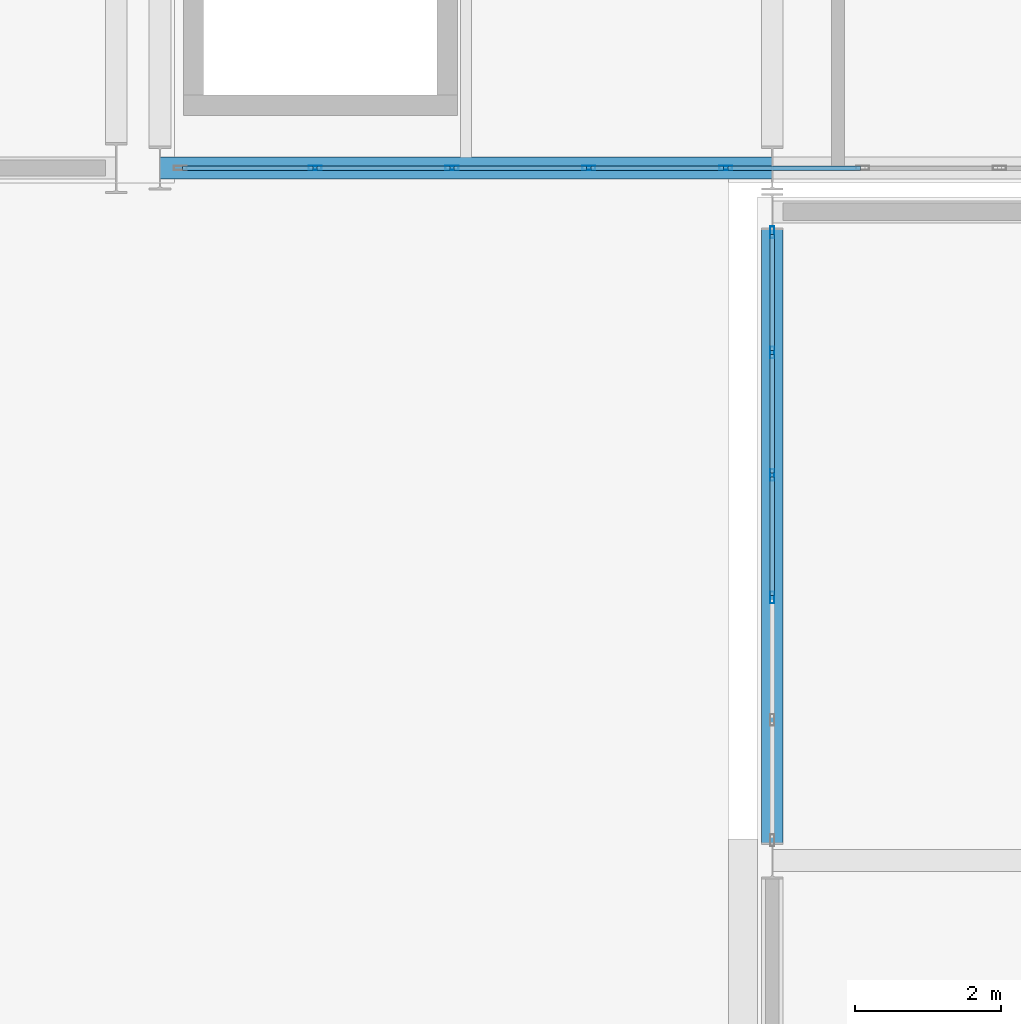
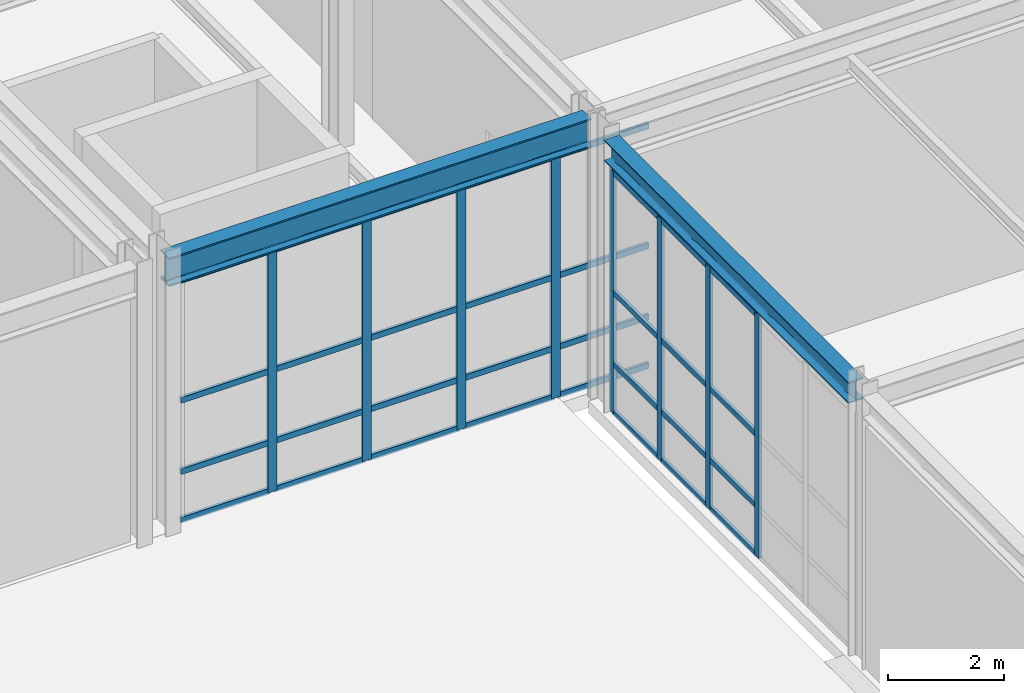
# One storey, part 75 of 146: 40 members, 2 beams, 2 elements without a shape of their own.
"""IFC4 building model written with IfcOpenShell, lengths in metres."""

from ifc_helpers import new_model, si_unit, direction, frame, origin, origin_2d, place, context, subcontext, project, spatial, hollow_rectangle, i_section, extrude, material, material_profile, profile_set, type_object, element, aggregate, save


model = new_model("IFC4")

# Units and contexts
model_context = context("Model", 3, precision=1e-05, world=origin(), true_north=direction((0.0, 1.0)))
body_context = subcontext(model_context, "Body", "Model", "MODEL_VIEW")
ifc_project = project(units=[si_unit("LENGTHUNIT", "METRE"), si_unit("AREAUNIT", "SQUARE_METRE"), si_unit("VOLUMEUNIT", "CUBIC_METRE"), si_unit("PLANEANGLEUNIT", "RADIAN"), si_unit("MASSUNIT", "GRAM", prefix="KILO")], contexts=[model_context])

# Site, building, storey
site_placement = place(None, origin())
site = spatial("IfcSite", under=ifc_project, at=site_placement, CompositionType="ELEMENT")
building_placement = place(site_placement, origin())
building = spatial("IfcBuilding", under=site, at=building_placement, Name="Kaldris Quays Convention Centre", CompositionType="ELEMENT")
storey_placement = place(building_placement, origin())
storey = spatial("IfcBuildingStorey", under=building, at=storey_placement, Name="L00", CompositionType="ELEMENT", Elevation=0.0)

# Curtain wall, members
ifc_material_1 = material(Name="Anodized aluminium AW-6060 and triple glazing", Category="aluminium")
curtain_wall_type_1 = type_object("IfcCurtainWallType", Name="UNITISED CURTAIN WALL CW02", PredefinedType="NOTDEFINED", material=ifc_material_1)
curtain_wall_1_placement = place(storey_placement, origin())
curtain_wall_1 = element("IfcCurtainWall", 1, at=curtain_wall_1_placement, inside=storey, type_object=curtain_wall_type_1, Name="L00 Unitised Curtain Wall CW02 183", PredefinedType="NOTDEFINED")
ifc_material_2 = material(Name="Anodized aluminium AW-6060", Category="aluminium")
ifc_material_profile_1 = material_profile(ifc_material_2, hollow_rectangle(XDim=0.06005859375, YDim=0.159912109375, WallThickness=0.00390625, at=origin_2d()), Name="RHS 160x60x4")
ifc_profile_set_1 = profile_set([ifc_material_profile_1], Name="Anodized aluminium AW-6060")
member_type_1 = type_object("IfcMemberType", Name="CURTAIN MULLION CWM1", PredefinedType="MULLION", material=ifc_profile_set_1)
member_1_placement = place(storey_placement, frame((155.0, 32.110107421875, 0.0), z_axis=(0.0, 0.0, 1.0), x_axis=(-1.0, 0.0, 0.0)))
member_1 = element("IfcMember", 2, at=member_1_placement, type_object=member_type_1, Name="CW02 mullion 3", PredefinedType="MULLION", context=body_context, shape_type="SweptSolid", body=[
    extrude(hollow_rectangle(XDim=0.06005859375, YDim=0.159912109375, WallThickness=0.00390625, at=origin_2d()), origin(), (0.0, 0.0, 1.0), 5.10009765625),
])
member_2_placement = place(storey_placement, frame((155.0, 33.7900390625, 0.0), z_axis=(0.0, 0.0, 1.0), x_axis=(-1.0, 0.0, 0.0)))
member_2 = element("IfcMember", 3, at=member_2_placement, type_object=member_type_1, Name="CW02 mullion 4", PredefinedType="MULLION", context=body_context, shape_type="SweptSolid", body=[
    extrude(hollow_rectangle(XDim=0.06005859375, YDim=0.159912109375, WallThickness=0.00390625, at=origin_2d()), origin(), (0.0, 0.0, 1.0), 5.10009765625),
])
member_3_placement = place(storey_placement, frame((155.0, 35.469970703125, 0.0), z_axis=(0.0, 0.0, 1.0), x_axis=(-1.0, 0.0, 0.0)))
member_3 = element("IfcMember", 4, at=member_3_placement, type_object=member_type_1, Name="CW02 mullion 5", PredefinedType="MULLION", context=body_context, shape_type="SweptSolid", body=[
    extrude(hollow_rectangle(XDim=0.06005859375, YDim=0.159912109375, WallThickness=0.00390625, at=origin_2d()), origin(), (0.0, 0.0, 1.0), 5.10009765625),
])
member_4_placement = place(storey_placement, frame((155.0, 37.1201171875, 0.0), z_axis=(0.0, 0.0, 1.0), x_axis=(-1.0, 0.0, 0.0)))
member_4 = element("IfcMember", 5, at=member_4_placement, type_object=member_type_1, Name="CW02 mullion 6", PredefinedType="MULLION", context=body_context, shape_type="SweptSolid", body=[
    extrude(hollow_rectangle(XDim=0.06005859375, YDim=0.159912109375, WallThickness=0.00390625, at=origin_2d()), origin(), (0.0, 0.0, 1.0), 5.10009765625),
])

curtain_wall_type_2 = type_object("IfcCurtainWallType", Name="UNITISED CURTAIN WALL CW05", PredefinedType="NOTDEFINED", material=ifc_material_1)
curtain_wall_2_placement = place(storey_placement, origin())
curtain_wall_2 = element("IfcCurtainWall", 6, at=curtain_wall_2_placement, inside=storey, type_object=curtain_wall_type_2, Name="L00 Unitised Curtain Wall CW05 137", PredefinedType="NOTDEFINED")
ifc_material_profile_2 = material_profile(ifc_material_2, hollow_rectangle(XDim=0.06005859375, YDim=0.179931640625, WallThickness=0.0048828125, at=origin_2d()), Name="RHS 180x60x5")
ifc_profile_set_2 = profile_set([ifc_material_profile_2], Name="Anodized aluminium AW-6060")
member_type_2 = type_object("IfcMemberType", Name="CURTAIN MULLION CWM2", PredefinedType="MULLION", material=ifc_profile_set_2)
member_5_placement = place(storey_placement, frame((148.727783203125, 38.0, 0.0), z_axis=(0.0, 0.0, 1.0), x_axis=(0.0, 1.0, 0.0)))
member_5 = element("IfcMember", 7, at=member_5_placement, type_object=member_type_2, Name="CW05 mullion 2", PredefinedType="MULLION", context=body_context, shape_type="SweptSolid", body=[
    extrude(hollow_rectangle(XDim=0.06005859375, YDim=0.179931640625, WallThickness=0.0048828125, at=origin_2d()), origin(), (0.0, 0.0, 1.0), 5.097900390625),
])
member_6_placement = place(storey_placement, frame((150.60546875, 38.0, 0.0), z_axis=(0.0, 0.0, 1.0), x_axis=(0.0, 1.0, 0.0)))
member_6 = element("IfcMember", 8, at=member_6_placement, type_object=member_type_2, Name="CW05 mullion 3", PredefinedType="MULLION", context=body_context, shape_type="SweptSolid", body=[
    extrude(hollow_rectangle(XDim=0.06005859375, YDim=0.179931640625, WallThickness=0.0048828125, at=origin_2d()), origin(), (0.0, 0.0, 1.0), 5.097900390625),
])
member_7_placement = place(storey_placement, frame((152.4833984375, 38.0, 0.0), z_axis=(0.0, 0.0, 1.0), x_axis=(0.0, 1.0, 0.0)))
member_7 = element("IfcMember", 9, at=member_7_placement, type_object=member_type_2, Name="CW05 mullion 4", PredefinedType="MULLION", context=body_context, shape_type="SweptSolid", body=[
    extrude(hollow_rectangle(XDim=0.06005859375, YDim=0.179931640625, WallThickness=0.0048828125, at=origin_2d()), origin(), (0.0, 0.0, 1.0), 5.097900390625),
])
member_8_placement = place(storey_placement, frame((154.361083984375, 38.0, 0.0), z_axis=(0.0, 0.0, 1.0), x_axis=(0.0, 1.0, 0.0)))
member_8 = element("IfcMember", 10, at=member_8_placement, type_object=member_type_2, Name="CW05 mullion 5", PredefinedType="MULLION", context=body_context, shape_type="SweptSolid", body=[
    extrude(hollow_rectangle(XDim=0.06005859375, YDim=0.179931640625, WallThickness=0.0048828125, at=origin_2d()), origin(), (0.0, 0.0, 1.0), 5.097900390625),
])
ifc_material_profile_3 = material_profile(ifc_material_2, hollow_rectangle(XDim=0.06005859375, YDim=0.1201171875, WallThickness=0.00390625, at=origin_2d()), Name="RHS 120x60x4")
ifc_profile_set_3 = profile_set([ifc_material_profile_3], Name="Anodized aluminium AW-6060")
member_type_3 = type_object("IfcMemberType", Name="CURTAIN TRANSOM CWT1", PredefinedType="USERDEFINED", material=ifc_profile_set_3)
member_9_placement = place(storey_placement, frame((146.909912109375, 38.0, 0.030029296875), z_axis=(1.0, 0.0, 0.0), x_axis=(0.0, 1.0, 0.0)))
member_9 = element("IfcMember", 11, at=member_9_placement, type_object=member_type_3, Name="CW05 transom 1.1", ObjectType="TRANSOM", PredefinedType="USERDEFINED", context=body_context, shape_type="SweptSolid", body=[
    extrude(hollow_rectangle(XDim=0.06005859375, YDim=0.1201171875, WallThickness=0.00390625, at=origin_2d()), origin(), (0.0, 0.0, 1.0), 1.787841796875),
])
member_10_placement = place(storey_placement, frame((146.909912109375, 38.0, 1.050048828125), z_axis=(1.0, 0.0, 0.0), x_axis=(0.0, 1.0, 0.0)))
member_10 = element("IfcMember", 12, at=member_10_placement, type_object=member_type_3, Name="CW05 transom 1.2", ObjectType="TRANSOM", PredefinedType="USERDEFINED", context=body_context, shape_type="SweptSolid", body=[
    extrude(hollow_rectangle(XDim=0.06005859375, YDim=0.1201171875, WallThickness=0.00390625, at=origin_2d()), origin(), (0.0, 0.0, 1.0), 1.787841796875),
])
member_11_placement = place(storey_placement, frame((146.909912109375, 38.0, 2.549072265625), z_axis=(1.0, 0.0, 0.0), x_axis=(0.0, 1.0, 0.0)))
member_11 = element("IfcMember", 13, at=member_11_placement, type_object=member_type_3, Name="CW05 transom 1.3", ObjectType="TRANSOM", PredefinedType="USERDEFINED", context=body_context, shape_type="SweptSolid", body=[
    extrude(hollow_rectangle(XDim=0.06005859375, YDim=0.1201171875, WallThickness=0.00390625, at=origin_2d()), origin(), (0.0, 0.0, 1.0), 1.787841796875),
])
member_12_placement = place(storey_placement, frame((146.909912109375, 38.0, 5.068115234375), z_axis=(1.0, 0.0, 0.0), x_axis=(0.0, 1.0, 0.0)))
member_12 = element("IfcMember", 14, at=member_12_placement, type_object=member_type_3, Name="CW05 transom 1.4", ObjectType="TRANSOM", PredefinedType="USERDEFINED", context=body_context, shape_type="SweptSolid", body=[
    extrude(hollow_rectangle(XDim=0.06005859375, YDim=0.1201171875, WallThickness=0.00390625, at=origin_2d()), origin(), (0.0, 0.0, 1.0), 1.787841796875),
])
member_13_placement = place(storey_placement, frame((148.7578125, 38.0, 0.030029296875), z_axis=(1.0, 0.0, 0.0), x_axis=(0.0, 1.0, 0.0)))
member_13 = element("IfcMember", 15, at=member_13_placement, type_object=member_type_3, Name="CW05 transom 2.1", ObjectType="TRANSOM", PredefinedType="USERDEFINED", context=body_context, shape_type="SweptSolid", body=[
    extrude(hollow_rectangle(XDim=0.06005859375, YDim=0.1201171875, WallThickness=0.00390625, at=origin_2d()), origin(), (0.0, 0.0, 1.0), 1.817626953125),
])
member_14_placement = place(storey_placement, frame((148.7578125, 38.0, 1.050048828125), z_axis=(1.0, 0.0, 0.0), x_axis=(0.0, 1.0, 0.0)))
member_14 = element("IfcMember", 16, at=member_14_placement, type_object=member_type_3, Name="CW05 transom 2.2", ObjectType="TRANSOM", PredefinedType="USERDEFINED", context=body_context, shape_type="SweptSolid", body=[
    extrude(hollow_rectangle(XDim=0.06005859375, YDim=0.1201171875, WallThickness=0.00390625, at=origin_2d()), origin(), (0.0, 0.0, 1.0), 1.817626953125),
])
member_15_placement = place(storey_placement, frame((148.7578125, 38.0, 2.549072265625), z_axis=(1.0, 0.0, 0.0), x_axis=(0.0, 1.0, 0.0)))
member_15 = element("IfcMember", 17, at=member_15_placement, type_object=member_type_3, Name="CW05 transom 2.3", ObjectType="TRANSOM", PredefinedType="USERDEFINED", context=body_context, shape_type="SweptSolid", body=[
    extrude(hollow_rectangle(XDim=0.06005859375, YDim=0.1201171875, WallThickness=0.00390625, at=origin_2d()), origin(), (0.0, 0.0, 1.0), 1.817626953125),
])
member_16_placement = place(storey_placement, frame((148.7578125, 38.0, 5.068115234375), z_axis=(1.0, 0.0, 0.0), x_axis=(0.0, 1.0, 0.0)))
member_16 = element("IfcMember", 18, at=member_16_placement, type_object=member_type_3, Name="CW05 transom 2.4", ObjectType="TRANSOM", PredefinedType="USERDEFINED", context=body_context, shape_type="SweptSolid", body=[
    extrude(hollow_rectangle(XDim=0.06005859375, YDim=0.1201171875, WallThickness=0.00390625, at=origin_2d()), origin(), (0.0, 0.0, 1.0), 1.817626953125),
])
member_17_placement = place(storey_placement, frame((150.635498046875, 38.0, 0.030029296875), z_axis=(1.0, 0.0, 0.0), x_axis=(0.0, 1.0, 0.0)))
member_17 = element("IfcMember", 19, at=member_17_placement, type_object=member_type_3, Name="CW05 transom 3.1", ObjectType="TRANSOM", PredefinedType="USERDEFINED", context=body_context, shape_type="SweptSolid", body=[
    extrude(hollow_rectangle(XDim=0.06005859375, YDim=0.1201171875, WallThickness=0.00390625, at=origin_2d()), origin(), (0.0, 0.0, 1.0), 1.81787109375),
])
member_18_placement = place(storey_placement, frame((150.635498046875, 38.0, 1.050048828125), z_axis=(1.0, 0.0, 0.0), x_axis=(0.0, 1.0, 0.0)))
member_18 = element("IfcMember", 20, at=member_18_placement, type_object=member_type_3, Name="CW05 transom 3.2", ObjectType="TRANSOM", PredefinedType="USERDEFINED", context=body_context, shape_type="SweptSolid", body=[
    extrude(hollow_rectangle(XDim=0.06005859375, YDim=0.1201171875, WallThickness=0.00390625, at=origin_2d()), origin(), (0.0, 0.0, 1.0), 1.81787109375),
])
member_19_placement = place(storey_placement, frame((150.635498046875, 38.0, 2.549072265625), z_axis=(1.0, 0.0, 0.0), x_axis=(0.0, 1.0, 0.0)))
member_19 = element("IfcMember", 21, at=member_19_placement, type_object=member_type_3, Name="CW05 transom 3.3", ObjectType="TRANSOM", PredefinedType="USERDEFINED", context=body_context, shape_type="SweptSolid", body=[
    extrude(hollow_rectangle(XDim=0.06005859375, YDim=0.1201171875, WallThickness=0.00390625, at=origin_2d()), origin(), (0.0, 0.0, 1.0), 1.81787109375),
])
member_20_placement = place(storey_placement, frame((150.635498046875, 38.0, 5.068115234375), z_axis=(1.0, 0.0, 0.0), x_axis=(0.0, 1.0, 0.0)))
member_20 = element("IfcMember", 22, at=member_20_placement, type_object=member_type_3, Name="CW05 transom 3.4", ObjectType="TRANSOM", PredefinedType="USERDEFINED", context=body_context, shape_type="SweptSolid", body=[
    extrude(hollow_rectangle(XDim=0.06005859375, YDim=0.1201171875, WallThickness=0.00390625, at=origin_2d()), origin(), (0.0, 0.0, 1.0), 1.81787109375),
])
member_21_placement = place(storey_placement, frame((152.513427734375, 38.0, 0.030029296875), z_axis=(1.0, 0.0, 0.0), x_axis=(0.0, 1.0, 0.0)))
member_21 = element("IfcMember", 23, at=member_21_placement, type_object=member_type_3, Name="CW05 transom 4.1", ObjectType="TRANSOM", PredefinedType="USERDEFINED", context=body_context, shape_type="SweptSolid", body=[
    extrude(hollow_rectangle(XDim=0.06005859375, YDim=0.1201171875, WallThickness=0.00390625, at=origin_2d()), origin(), (0.0, 0.0, 1.0), 1.817626953125),
])
member_22_placement = place(storey_placement, frame((152.513427734375, 38.0, 1.050048828125), z_axis=(1.0, 0.0, 0.0), x_axis=(0.0, 1.0, 0.0)))
member_22 = element("IfcMember", 24, at=member_22_placement, type_object=member_type_3, Name="CW05 transom 4.2", ObjectType="TRANSOM", PredefinedType="USERDEFINED", context=body_context, shape_type="SweptSolid", body=[
    extrude(hollow_rectangle(XDim=0.06005859375, YDim=0.1201171875, WallThickness=0.00390625, at=origin_2d()), origin(), (0.0, 0.0, 1.0), 1.817626953125),
])
member_23_placement = place(storey_placement, frame((152.513427734375, 38.0, 2.549072265625), z_axis=(1.0, 0.0, 0.0), x_axis=(0.0, 1.0, 0.0)))
member_23 = element("IfcMember", 25, at=member_23_placement, type_object=member_type_3, Name="CW05 transom 4.3", ObjectType="TRANSOM", PredefinedType="USERDEFINED", context=body_context, shape_type="SweptSolid", body=[
    extrude(hollow_rectangle(XDim=0.06005859375, YDim=0.1201171875, WallThickness=0.00390625, at=origin_2d()), origin(), (0.0, 0.0, 1.0), 1.817626953125),
])
member_24_placement = place(storey_placement, frame((152.513427734375, 38.0, 5.068115234375), z_axis=(1.0, 0.0, 0.0), x_axis=(0.0, 1.0, 0.0)))
member_24 = element("IfcMember", 26, at=member_24_placement, type_object=member_type_3, Name="CW05 transom 4.4", ObjectType="TRANSOM", PredefinedType="USERDEFINED", context=body_context, shape_type="SweptSolid", body=[
    extrude(hollow_rectangle(XDim=0.06005859375, YDim=0.1201171875, WallThickness=0.00390625, at=origin_2d()), origin(), (0.0, 0.0, 1.0), 1.817626953125),
])
member_25_placement = place(storey_placement, frame((154.39111328125, 38.0, 0.030029296875), z_axis=(1.0, 0.0, 0.0), x_axis=(0.0, 1.0, 0.0)))
member_25 = element("IfcMember", 27, at=member_25_placement, type_object=member_type_3, Name="CW05 transom 5.1", ObjectType="TRANSOM", PredefinedType="USERDEFINED", context=body_context, shape_type="SweptSolid", body=[
    extrude(hollow_rectangle(XDim=0.06005859375, YDim=0.1201171875, WallThickness=0.00390625, at=origin_2d()), origin(), (0.0, 0.0, 1.0), 1.81787109375),
])
member_26_placement = place(storey_placement, frame((154.39111328125, 38.0, 1.050048828125), z_axis=(1.0, 0.0, 0.0), x_axis=(0.0, 1.0, 0.0)))
member_26 = element("IfcMember", 28, at=member_26_placement, type_object=member_type_3, Name="CW05 transom 5.2", ObjectType="TRANSOM", PredefinedType="USERDEFINED", context=body_context, shape_type="SweptSolid", body=[
    extrude(hollow_rectangle(XDim=0.06005859375, YDim=0.1201171875, WallThickness=0.00390625, at=origin_2d()), origin(), (0.0, 0.0, 1.0), 1.81787109375),
])
member_27_placement = place(storey_placement, frame((154.39111328125, 38.0, 2.549072265625), z_axis=(1.0, 0.0, 0.0), x_axis=(0.0, 1.0, 0.0)))
member_27 = element("IfcMember", 29, at=member_27_placement, type_object=member_type_3, Name="CW05 transom 5.3", ObjectType="TRANSOM", PredefinedType="USERDEFINED", context=body_context, shape_type="SweptSolid", body=[
    extrude(hollow_rectangle(XDim=0.06005859375, YDim=0.1201171875, WallThickness=0.00390625, at=origin_2d()), origin(), (0.0, 0.0, 1.0), 1.81787109375),
])
member_28_placement = place(storey_placement, frame((154.39111328125, 38.0, 5.068115234375), z_axis=(1.0, 0.0, 0.0), x_axis=(0.0, 1.0, 0.0)))
member_28 = element("IfcMember", 30, at=member_28_placement, type_object=member_type_3, Name="CW05 transom 5.4", ObjectType="TRANSOM", PredefinedType="USERDEFINED", context=body_context, shape_type="SweptSolid", body=[
    extrude(hollow_rectangle(XDim=0.06005859375, YDim=0.1201171875, WallThickness=0.00390625, at=origin_2d()), origin(), (0.0, 0.0, 1.0), 1.81787109375),
])
aggregate(curtain_wall_2, [member_5, member_6, member_7, member_8, member_9, member_10, member_11, member_12, member_13, member_14, member_15, member_16, member_17, member_18, member_19, member_20, member_21, member_22, member_23, member_24, member_25, member_26, member_27, member_28])

# Member
member_29_placement = place(storey_placement, frame((155.0, 32.139892578125, 0.030029296875), z_axis=(0.0, 1.0, 0.0), x_axis=(-1.0, 0.0, 0.0)))
member_29 = element("IfcMember", 31, at=member_29_placement, type_object=member_type_3, Name="CW02 transom 3.1", ObjectType="TRANSOM", PredefinedType="USERDEFINED", context=body_context, shape_type="SweptSolid", body=[
    extrude(hollow_rectangle(XDim=0.06005859375, YDim=0.1201171875, WallThickness=0.00390625, at=origin_2d()), origin(), (0.0, 0.0, 1.0), 1.6201171875),
])

member_30_placement = place(storey_placement, frame((155.0, 32.139892578125, 1.050048828125), z_axis=(0.0, 1.0, 0.0), x_axis=(-1.0, 0.0, 0.0)))
member_30 = element("IfcMember", 32, at=member_30_placement, type_object=member_type_3, Name="CW02 transom 3.2", ObjectType="TRANSOM", PredefinedType="USERDEFINED", context=body_context, shape_type="SweptSolid", body=[
    extrude(hollow_rectangle(XDim=0.06005859375, YDim=0.1201171875, WallThickness=0.00390625, at=origin_2d()), origin(), (0.0, 0.0, 1.0), 1.6201171875),
])

member_31_placement = place(storey_placement, frame((155.0, 32.139892578125, 2.550048828125), z_axis=(0.0, 1.0, 0.0), x_axis=(-1.0, 0.0, 0.0)))
member_31 = element("IfcMember", 33, at=member_31_placement, type_object=member_type_3, Name="CW02 transom 3.3", ObjectType="TRANSOM", PredefinedType="USERDEFINED", context=body_context, shape_type="SweptSolid", body=[
    extrude(hollow_rectangle(XDim=0.06005859375, YDim=0.1201171875, WallThickness=0.00390625, at=origin_2d()), origin(), (0.0, 0.0, 1.0), 1.6201171875),
])

member_32_placement = place(storey_placement, frame((155.0, 32.139892578125, 5.070068359375), z_axis=(0.0, 1.0, 0.0), x_axis=(-1.0, 0.0, 0.0)))
member_32 = element("IfcMember", 34, at=member_32_placement, type_object=member_type_3, Name="CW02 transom 3.4", ObjectType="TRANSOM", PredefinedType="USERDEFINED", context=body_context, shape_type="SweptSolid", body=[
    extrude(hollow_rectangle(XDim=0.06005859375, YDim=0.1201171875, WallThickness=0.00390625, at=origin_2d()), origin(), (0.0, 0.0, 1.0), 1.6201171875),
])

member_33_placement = place(storey_placement, frame((155.0, 33.820068359375, 0.030029296875), z_axis=(0.0, 1.0, 0.0), x_axis=(-1.0, 0.0, 0.0)))
member_33 = element("IfcMember", 35, at=member_33_placement, type_object=member_type_3, Name="CW02 transom 4.1", ObjectType="TRANSOM", PredefinedType="USERDEFINED", context=body_context, shape_type="SweptSolid", body=[
    extrude(hollow_rectangle(XDim=0.06005859375, YDim=0.1201171875, WallThickness=0.00390625, at=origin_2d()), origin(), (0.0, 0.0, 1.0), 1.619873046875),
])

member_34_placement = place(storey_placement, frame((155.0, 33.820068359375, 1.050048828125), z_axis=(0.0, 1.0, 0.0), x_axis=(-1.0, 0.0, 0.0)))
member_34 = element("IfcMember", 36, at=member_34_placement, type_object=member_type_3, Name="CW02 transom 4.2", ObjectType="TRANSOM", PredefinedType="USERDEFINED", context=body_context, shape_type="SweptSolid", body=[
    extrude(hollow_rectangle(XDim=0.06005859375, YDim=0.1201171875, WallThickness=0.00390625, at=origin_2d()), origin(), (0.0, 0.0, 1.0), 1.619873046875),
])

member_35_placement = place(storey_placement, frame((155.0, 33.820068359375, 2.550048828125), z_axis=(0.0, 1.0, 0.0), x_axis=(-1.0, 0.0, 0.0)))
member_35 = element("IfcMember", 37, at=member_35_placement, type_object=member_type_3, Name="CW02 transom 4.3", ObjectType="TRANSOM", PredefinedType="USERDEFINED", context=body_context, shape_type="SweptSolid", body=[
    extrude(hollow_rectangle(XDim=0.06005859375, YDim=0.1201171875, WallThickness=0.00390625, at=origin_2d()), origin(), (0.0, 0.0, 1.0), 1.619873046875),
])

member_36_placement = place(storey_placement, frame((155.0, 33.820068359375, 5.070068359375), z_axis=(0.0, 1.0, 0.0), x_axis=(-1.0, 0.0, 0.0)))
member_36 = element("IfcMember", 38, at=member_36_placement, type_object=member_type_3, Name="CW02 transom 4.4", ObjectType="TRANSOM", PredefinedType="USERDEFINED", context=body_context, shape_type="SweptSolid", body=[
    extrude(hollow_rectangle(XDim=0.06005859375, YDim=0.1201171875, WallThickness=0.00390625, at=origin_2d()), origin(), (0.0, 0.0, 1.0), 1.619873046875),
])

member_37_placement = place(storey_placement, frame((155.0, 35.5, 0.030029296875), z_axis=(0.0, 1.0, 0.0), x_axis=(-1.0, 0.0, 0.0)))
member_37 = element("IfcMember", 39, at=member_37_placement, type_object=member_type_3, Name="CW02 transom 5.1", ObjectType="TRANSOM", PredefinedType="USERDEFINED", context=body_context, shape_type="SweptSolid", body=[
    extrude(hollow_rectangle(XDim=0.06005859375, YDim=0.1201171875, WallThickness=0.00390625, at=origin_2d()), origin(), (0.0, 0.0, 1.0), 1.590087890625),
])

member_38_placement = place(storey_placement, frame((155.0, 35.5, 1.050048828125), z_axis=(0.0, 1.0, 0.0), x_axis=(-1.0, 0.0, 0.0)))
member_38 = element("IfcMember", 40, at=member_38_placement, type_object=member_type_3, Name="CW02 transom 5.2", ObjectType="TRANSOM", PredefinedType="USERDEFINED", context=body_context, shape_type="SweptSolid", body=[
    extrude(hollow_rectangle(XDim=0.06005859375, YDim=0.1201171875, WallThickness=0.00390625, at=origin_2d()), origin(), (0.0, 0.0, 1.0), 1.590087890625),
])

member_39_placement = place(storey_placement, frame((155.0, 35.5, 2.550048828125), z_axis=(0.0, 1.0, 0.0), x_axis=(-1.0, 0.0, 0.0)))
member_39 = element("IfcMember", 41, at=member_39_placement, type_object=member_type_3, Name="CW02 transom 5.3", ObjectType="TRANSOM", PredefinedType="USERDEFINED", context=body_context, shape_type="SweptSolid", body=[
    extrude(hollow_rectangle(XDim=0.06005859375, YDim=0.1201171875, WallThickness=0.00390625, at=origin_2d()), origin(), (0.0, 0.0, 1.0), 1.590087890625),
])

member_40_placement = place(storey_placement, frame((155.0, 35.5, 5.070068359375), z_axis=(0.0, 1.0, 0.0), x_axis=(-1.0, 0.0, 0.0)))
member_40 = element("IfcMember", 42, at=member_40_placement, type_object=member_type_3, Name="CW02 transom 5.4", ObjectType="TRANSOM", PredefinedType="USERDEFINED", context=body_context, shape_type="SweptSolid", body=[
    extrude(hollow_rectangle(XDim=0.06005859375, YDim=0.1201171875, WallThickness=0.00390625, at=origin_2d()), origin(), (0.0, 0.0, 1.0), 1.590087890625),
])

aggregate(curtain_wall_1, [member_1, member_2, member_3, member_4, member_29, member_30, member_31, member_32, member_33, member_34, member_35, member_36, member_37, member_38, member_39, member_40])

# Beams
ifc_material_3 = material(Name="Steel S355J2", Category="steel")
ifc_material_profile_4 = material_profile(ifc_material_3, i_section(OverallWidth=0.300048828125, OverallDepth=0.60009765625, WebThickness=0.015380859375, FlangeThickness=0.030029296875, FilletRadius=0.027099609375, at=origin_2d()), Name="HEB 600")
ifc_profile_set_4 = profile_set([ifc_material_profile_4], Name="Steel S355J2")
beam_type_1 = type_object("IfcBeamType", Name="STRUCTURAL BEAM BM05", PredefinedType="BEAM", material=ifc_profile_set_4)
beam_1_placement = place(storey_placement, frame((146.601806640625, 38.0, 5.423095703125), z_axis=(1.0, 0.0, 0.0), x_axis=(0.0, 1.0, 0.0)))
element("IfcBeam", 43, at=beam_1_placement, inside=storey, type_object=beam_type_1, Name="L00 Girder BM05 8", PredefinedType="BEAM", context=body_context, shape_type="SweptSolid", body=[
    extrude(i_section(OverallWidth=0.300048828125, OverallDepth=0.60009765625, WebThickness=0.015380859375, FlangeThickness=0.030029296875, FilletRadius=0.027099609375, at=origin_2d()), origin(), (0.0, 0.0, 1.0), 8.396484375),
])
ifc_material_profile_5 = material_profile(ifc_material_3, i_section(OverallWidth=0.300048828125, OverallDepth=0.43994140625, WebThickness=0.011474609375, FlangeThickness=0.02099609375, FilletRadius=0.027099609375, at=origin_2d()), Name="HEA 450")
ifc_profile_set_5 = profile_set([ifc_material_profile_5], Name="Steel S355J2")
beam_type_2 = type_object("IfcBeamType", Name="STRUCTURAL BEAM BM14", PredefinedType="BEAM", material=ifc_profile_set_5)
beam_2_placement = place(storey_placement, frame((155.0, 28.743896484375, 5.52294921875), z_axis=(0.0, 1.0, 0.0), x_axis=(-1.0, 0.0, 0.0)))
element("IfcBeam", 44, at=beam_2_placement, inside=storey, type_object=beam_type_2, Name="L00 Girder BM14 23", PredefinedType="BEAM", context=body_context, shape_type="SweptSolid", body=[
    extrude(i_section(OverallWidth=0.300048828125, OverallDepth=0.43994140625, WebThickness=0.011474609375, FlangeThickness=0.02099609375, FilletRadius=0.027099609375, at=origin_2d()), origin(), (0.0, 0.0, 1.0), 8.412109375),
])

save(model, "model.ifc")
